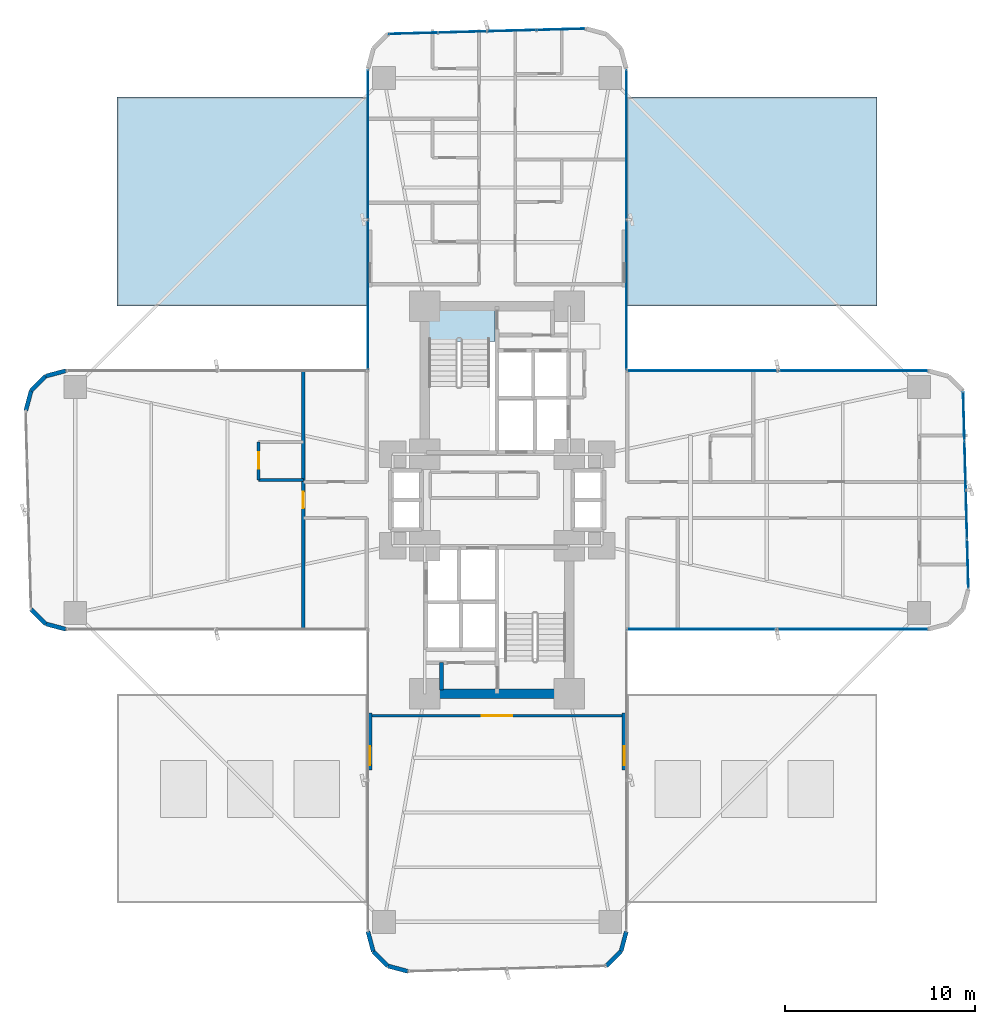
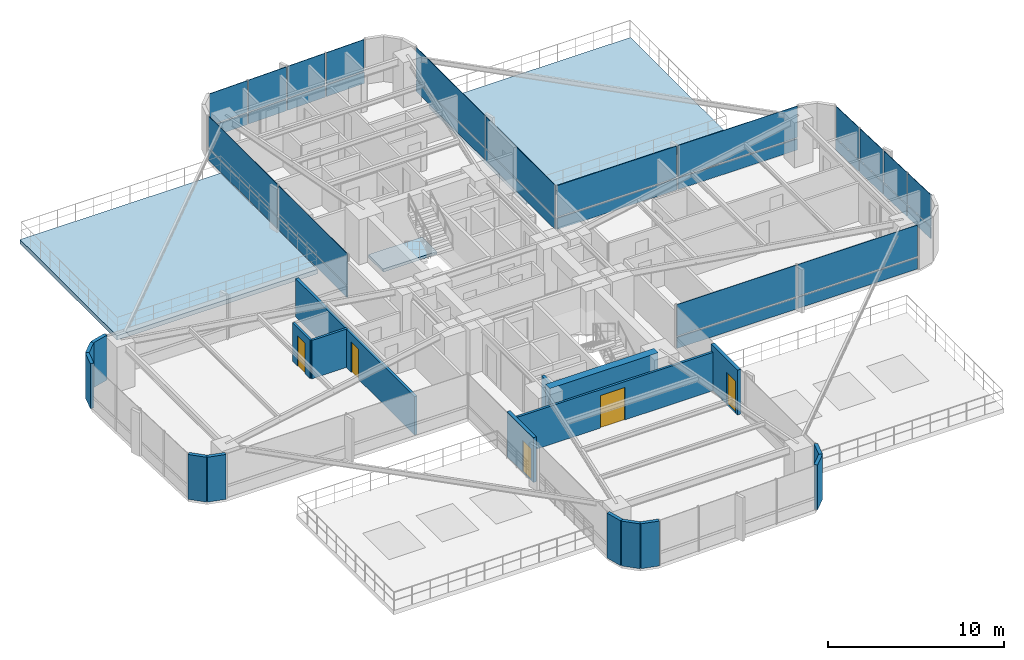
# One storey, part 21 of 27: 32 plates, 18 walls, 5 doors, 3 slabs, 5 openings, 6 elements without a shape of their own.
"""IFC4 building model written with IfcOpenShell, lengths in metres."""

import ifcopenshell
import ifcopenshell.guid

model = None  # the IFC model being written
_history = None  # IfcOwnerHistory: only IFC2X3 demands one
_inside = {}  # id of a spatial element -> (the spatial element, [elements in it])
_under = {}  # id of a project, library or spatial element -> (it, [spatial elements below it])
_declared = {}  # id of a project -> (the project, [libraries it declares])
_typed = {}  # id of a type object -> (the type object, [elements of that type])
_made_of = {}  # id of a material, layer set ... -> (it, [elements and type objects made of it])


def new_model(schema):
    """Start an empty IFC model of exactly this schema.

    Asked for "IFC4X3", IfcOpenShell would pick the latest addendum, in which some entities
    have other attributes; the version numbers below select the first issue.
    IFC2X3 requires an IfcOwnerHistory on every rooted entity: one is made here for all.
    """
    global model, _history
    if schema == "IFC4X3":
        model = ifcopenshell.file(schema_version=(4, 3, 0, 0))
    else:
        model = ifcopenshell.file(schema=schema)
    _inside.clear()
    _under.clear()
    _declared.clear()
    _typed.clear()
    _made_of.clear()
    _history = None
    if model.schema == "IFC2X3":
        org = make("IfcOrganization", Name="unknown")
        user = make(
            "IfcPersonAndOrganization",
            ThePerson=make("IfcPerson", FamilyName="unknown"),
            TheOrganization=org,
        )
        app = make(
            "IfcApplication",
            ApplicationDeveloper=org,
            Version="unknown",
            ApplicationFullName="unknown",
            ApplicationIdentifier="unknown",
        )
        _history = make(
            "IfcOwnerHistory",
            OwningUser=user,
            OwningApplication=app,
            ChangeAction="ADDED",
            CreationDate=0,
        )
    return model


def make(cls, **values):
    """One entity of the class cls with the attributes given. An attribute that is None is left unset."""
    return model.create_entity(
        cls, **{name: value for name, value in values.items() if value is not None}
    )


def rooted(cls, **values):
    """An entity with a GlobalId (a new one), such as an element, a storey or a relation."""
    return make(cls, GlobalId=ifcopenshell.guid.new(), OwnerHistory=_history, **values)


def si_unit(unit_type, name, prefix=None):
    """IfcSIUnit, for example si_unit("LENGTHUNIT", "METRE", prefix="MILLI")."""
    return make("IfcSIUnit", UnitType=unit_type, Prefix=prefix, Name=name)


def assignment(units):
    """IfcUnitAssignment: the units of a project."""
    return None if units is None else make("IfcUnitAssignment", Units=units)


def point(xyz):
    """IfcCartesianPoint."""
    return None if xyz is None else make("IfcCartesianPoint", Coordinates=xyz)


def direction(xyz):
    """IfcDirection."""
    return None if xyz is None else make("IfcDirection", DirectionRatios=xyz)


def frame(location, z_axis=None, x_axis=None):
    """IfcAxis2Placement3D, a coordinate frame: its origin and axes. An axis left out is left unset."""
    return make(
        "IfcAxis2Placement3D",
        Location=point(location),
        Axis=direction(z_axis),
        RefDirection=direction(x_axis),
    )


def frame_2d(location, x_axis=None):
    """IfcAxis2Placement2D, a coordinate frame in the plane: its origin and x axis."""
    return make(
        "IfcAxis2Placement2D", Location=point(location), RefDirection=direction(x_axis)
    )


def origin():
    """The frame at (0, 0, 0) with its axes left unset."""
    return frame((0.0, 0.0, 0.0))


def origin_2d():
    """The frame at (0, 0) in the plane with its x axis left unset."""
    return frame_2d((0.0, 0.0))


def place(relative_to, where):
    """IfcLocalPlacement: puts the frame where relative to a parent placement (None: the world)."""
    return make(
        "IfcLocalPlacement", PlacementRelTo=relative_to, RelativePlacement=where
    )


def context(
    kind, dimensions, precision=None, world=None, true_north=None, identifier=None
):
    """IfcGeometricRepresentationContext, for example the 3D "Model" context."""
    return make(
        "IfcGeometricRepresentationContext",
        ContextIdentifier=identifier,
        ContextType=kind,
        CoordinateSpaceDimension=dimensions,
        Precision=precision,
        WorldCoordinateSystem=world,
        TrueNorth=true_north,
    )


def subcontext(parent, identifier, kind, view, scale=None):
    """IfcGeometricRepresentationSubContext, for example "Body" below "Model"."""
    return make(
        "IfcGeometricRepresentationSubContext",
        ContextIdentifier=identifier,
        ContextType=kind,
        ParentContext=parent,
        TargetScale=scale,
        TargetView=view,
    )


def project(units=None, contexts=None):
    """IfcProject with its units and contexts."""
    return rooted(
        "IfcProject",
        Name="project",
        RepresentationContexts=contexts,
        UnitsInContext=assignment(units),
    )


def spatial(cls, under=None, at=None, **own):
    """A site, building, storey or space (cls), placed at a placement, below another one or the project."""
    s = rooted(cls, ObjectPlacement=at, **own)
    if under is not None:
        _under.setdefault(under.id(), (under, []))[1].append(s)
    return s


def polyline(points):
    """IfcPolyline through the points."""
    return make("IfcPolyline", Points=[point(p) for p in points])


def profile(cls, at=None, kind="AREA", **sizes):
    """A parametric profile (cls). Its sizes go by their IFC names, for example OverallWidth=200.0."""
    return make(cls, ProfileType=kind, Position=at, **sizes)


def rectangle(**sizes):
    """IfcRectangleProfileDef."""
    return profile("IfcRectangleProfileDef", **sizes)


def outline(outer, holes=None, kind="AREA"):
    """IfcArbitraryClosedProfileDef: a profile drawn as a closed curve; with holes, ...WithVoids."""
    if holes is None:
        return make("IfcArbitraryClosedProfileDef", ProfileType=kind, OuterCurve=outer)
    return make(
        "IfcArbitraryProfileDefWithVoids",
        ProfileType=kind,
        OuterCurve=outer,
        InnerCurves=holes,
    )


def extrude(swept, where, along, depth):
    """IfcExtrudedAreaSolid: the profile swept, set in the frame where, extruded along a direction by depth."""
    return make(
        "IfcExtrudedAreaSolid",
        SweptArea=swept,
        Position=where,
        ExtrudedDirection=direction(along),
        Depth=depth,
    )


def shape(context_of_items, identifier, shape_type, items):
    """IfcShapeRepresentation: the items that make up one representation, for example the "Body"."""
    return make(
        "IfcShapeRepresentation",
        ContextOfItems=context_of_items,
        RepresentationIdentifier=identifier,
        RepresentationType=shape_type,
        Items=items,
    )


def source(mapping_origin, context_of_items, identifier, shape_type, items):
    """IfcRepresentationMap: a shape defined once, which mapped items show again and again."""
    return make(
        "IfcRepresentationMap",
        MappingOrigin=mapping_origin,
        MappedRepresentation=shape(context_of_items, identifier, shape_type, items),
    )


def transform(
    local_origin,
    x_axis=None,
    y_axis=None,
    z_axis=None,
    scale=None,
    scale2=None,
    scale3=None,
    uniform=True,
):
    """IfcCartesianTransformationOperator3D, or its non-uniform kind. x_axis, y_axis, z_axis: its Axis1, 2, 3."""
    if uniform:
        return make(
            "IfcCartesianTransformationOperator3D",
            Axis1=direction(x_axis),
            Axis2=direction(y_axis),
            LocalOrigin=point(local_origin),
            Scale=scale,
            Axis3=direction(z_axis),
        )
    return make(
        "IfcCartesianTransformationOperator3DnonUniform",
        Axis1=direction(x_axis),
        Axis2=direction(y_axis),
        LocalOrigin=point(local_origin),
        Scale=scale,
        Axis3=direction(z_axis),
        Scale2=scale2,
        Scale3=scale3,
    )


def mapped(mapping_source, mapping_target):
    """IfcMappedItem: shows the shape of a source again, moved by a transform."""
    return make(
        "IfcMappedItem", MappingSource=mapping_source, MappingTarget=mapping_target
    )


def material(Name=None, Category=None):
    """IfcMaterial."""
    return make("IfcMaterial", Name=Name, Category=Category)


def layer(
    of_material, thickness, ventilated=None, Name=None, Category=None, Priority=None
):
    """IfcMaterialLayer: one layer of a wall or slab, of a material (None: an air gap)."""
    return make(
        "IfcMaterialLayer",
        Material=of_material,
        LayerThickness=thickness,
        IsVentilated=ventilated,
        Name=Name,
        Category=Category,
        Priority=Priority,
    )


def layer_set(layers, Name=None):
    """IfcMaterialLayerSet."""
    return make("IfcMaterialLayerSet", MaterialLayers=layers, LayerSetName=Name)


def made_of(thing, what):
    """Note that an element or type object is made of a material, layer set ...; save() writes the relation."""
    if what is not None:
        _made_of.setdefault(what.id(), (what, []))[1].append(thing)
    return thing


def type_object(cls, material=None, **own):
    """A type object (cls), such as IfcWallType, which elements share."""
    return made_of(rooted(cls, **own), material)


def element(
    cls,
    number,
    at=None,
    inside=None,
    cuts=None,
    type_object=None,
    material=None,
    context=None,
    identifier="Body",
    shape_type=None,
    held_by="IfcProductDefinitionShape",
    body=None,
    shapes=None,
    **own,
):
    """One element of the class cls, such as IfcWall. Its Tag is "e" and its number.

    at: its placement. inside: the storey or other place that contains it. cuts: it is an
    opening in that element (IfcRelVoidsElement). A single representation is given by context,
    identifier, shape_type and body (its items); several are given by shapes. held_by: the class
    of the entity that holds the representations. save() writes the other relations.
    """
    e = rooted(cls, Tag="e%d" % number, ObjectPlacement=at, **own)
    if body is not None:
        shapes = [shape(context, identifier, shape_type, body)]
    if shapes is not None:
        e.Representation = make(held_by, Representations=shapes)
    if inside is not None:
        _inside.setdefault(inside.id(), (inside, []))[1].append(e)
    if cuts is not None:
        rooted(
            "IfcRelVoidsElement", RelatingBuildingElement=cuts, RelatedOpeningElement=e
        )
    if type_object is not None:
        _typed.setdefault(type_object.id(), (type_object, []))[1].append(e)
    return made_of(e, material)


def fill(opening, filler):
    """IfcRelFillsElement: the door or window that sits in an opening."""
    return rooted(
        "IfcRelFillsElement",
        RelatingOpeningElement=opening,
        RelatedBuildingElement=filler,
    )


def aggregate(whole, parts):
    """IfcRelAggregates: a whole, such as a stair, and the parts it consists of."""
    return rooted("IfcRelAggregates", RelatingObject=whole, RelatedObjects=parts)


def save(model, path):
    """Write the relations noted so far, then the file.

    IfcRelAggregates (storeys below a building ...), IfcRelContainedInSpatialStructure (elements
    in a storey), IfcRelDefinesByType, IfcRelAssociatesMaterial and IfcRelDeclares: one each for
    every whole, place, type object, material and project.
    """
    for whole, parts in _under.values():
        aggregate(whole, parts)
    for where, things in _inside.values():
        rooted(
            "IfcRelContainedInSpatialStructure",
            RelatedElements=things,
            RelatingStructure=where,
        )
    for kind, things in _typed.values():
        rooted("IfcRelDefinesByType", RelatedObjects=things, RelatingType=kind)
    for what, things in _made_of.values():
        rooted("IfcRelAssociatesMaterial", RelatedObjects=things, RelatingMaterial=what)
    for by, libraries in _declared.values():
        rooted("IfcRelDeclares", RelatingContext=by, RelatedDefinitions=libraries)
    model.write(path)


model = new_model("IFC4")

# Units and contexts
model_context = context("Model", 3, precision=1e-05, world=origin(), true_north=direction((0.0, 1.0)))
body_context = subcontext(model_context, "Body", "Model", "MODEL_VIEW")
ifc_project = project(units=[si_unit("LENGTHUNIT", "METRE"), si_unit("AREAUNIT", "SQUARE_METRE"), si_unit("VOLUMEUNIT", "CUBIC_METRE"), si_unit("PLANEANGLEUNIT", "RADIAN"), si_unit("MASSUNIT", "GRAM", prefix="KILO")], contexts=[model_context])

# Site, building, storey
site_placement = place(None, origin())
site = spatial("IfcSite", under=ifc_project, at=site_placement, CompositionType="ELEMENT")
building_placement = place(site_placement, origin())
building = spatial("IfcBuilding", under=site, at=building_placement, Name="Sahyath Konkavel Grand Hotel", CompositionType="ELEMENT")
storey_placement = place(building_placement, frame((0.0, 0.0, 23.10009765625)))
storey = spatial("IfcBuildingStorey", under=building, at=storey_placement, Name="L05", CompositionType="ELEMENT", Elevation=23.10009765625)

# Slabs
ifc_material_1 = material(Name="Concrete C40/50", Category="concrete")
ifc_layer_1 = layer(ifc_material_1, 0.300048828125)
ifc_layer_set_1 = layer_set([ifc_layer_1], Name="Concrete C40/50")
slab_type_1 = type_object("IfcSlabType", Name="SLB-POD-ROOF", PredefinedType="ROOF", material=ifc_layer_set_1)
slab_1_placement = place(storey_placement, frame((0.0, 0.0, -0.300048828125)))
element("IfcSlab", 1, at=slab_1_placement, inside=storey, type_object=slab_type_1, Name="Podium Landscaped Roof Terrace NW", PredefinedType="ROOF", context=body_context, shape_type="SweptSolid", body=[
    extrude(outline(polyline([(-20.0, 10.199951171875), (-6.840087890625, 10.199951171875), (-6.840087890625, 21.199951171875), (-20.0, 21.199951171875), (-20.0, 10.199951171875)])), origin(), (0.0, 0.0, 1.0), 0.300048828125),
])
slab_2_placement = place(storey_placement, frame((0.0, 0.0, -0.300048828125)))
element("IfcSlab", 2, at=slab_2_placement, inside=storey, type_object=slab_type_1, Name="Podium Landscaped Roof Terrace NE", PredefinedType="ROOF", context=body_context, shape_type="SweptSolid", body=[
    extrude(outline(polyline([(6.840087890625, 10.199951171875), (20.0, 10.199951171875), (20.0, 21.199951171875), (6.840087890625, 21.199951171875), (6.840087890625, 10.199951171875)])), origin(), (0.0, 0.0, 1.0), 0.300048828125),
])
ifc_layer_2 = layer(ifc_material_1, 0.199951171875)
ifc_layer_set_2 = layer_set([ifc_layer_2], Name="Concrete C40/50")
slab_type_2 = type_object("IfcSlabType", Name="SLB-STAIR-LND", PredefinedType="LANDING", material=ifc_layer_set_2)
slab_3_placement = place(storey_placement, frame((0.0, 0.0, -0.2001953125)))
element("IfcSlab", 3, at=slab_3_placement, inside=storey, type_object=slab_type_2, Name="L05 Stair ST-1 Floor Landing Slab", PredefinedType="LANDING", context=body_context, shape_type="SweptSolid", body=[
    extrude(outline(polyline([(-3.6201171875, 8.35009765625), (-0.10009765625, 8.35009765625), (-0.10009765625, 10.02001953125), (-3.6201171875, 10.02001953125), (-3.6201171875, 8.35009765625)])), origin(), (0.0, 0.0, 1.0), 0.2001953125),
])

# Curtain wall, plates
ifc_material_2 = material(Name="Anodised Bronze Aluminium & Low-E Glazing", Category="aluminium")
curtain_wall_type = type_object("IfcCurtainWallType", Name="CW-ZONE1", PredefinedType="NOTDEFINED", material=ifc_material_2)
curtain_wall_1_placement = place(storey_placement, origin())
curtain_wall_1 = element("IfcCurtainWall", 4, at=curtain_wall_1_placement, inside=storey, type_object=curtain_wall_type, Name="L05 Unitised Curtain Wall F0", PredefinedType="NOTDEFINED")
ifc_material_3 = material(Name="Warm Buff Sandstone Cladding", Category="masonry")
ifc_layer_3 = layer(ifc_material_3, 0.074951171875)
ifc_layer_set_3 = layer_set([ifc_layer_3], Name="Warm Buff Sandstone Cladding")
plate_type_1 = type_object("IfcPlateType", Name="PNL-SPANDREL-STONE", PredefinedType="SHEET", material=ifc_layer_set_3)
shared_shape_1 = source(origin(), body_context, "Body", "SweptSolid", [
    extrude(rectangle(XDim=7.830078125, YDim=0.074951171875, at=origin_2d()), origin(), (0.0, 0.0, 1.0), 0.77001953125),
])
plate_1_placement = place(storey_placement, frame((10.794921875, -6.800048828125, 0.039794921875), z_axis=(0.0, 0.0, 1.0), x_axis=(1.0, 0.0, 0.0)))
plate_1 = element("IfcPlate", 5, at=plate_1_placement, type_object=plate_type_1, Name="L05 Sandstone Relief Spandrel Panel F0-0", PredefinedType="SHEET", context=body_context, shape_type="MappedRepresentation", body=[
    mapped(shared_shape_1, transform((0.0, 0.0, 0.0), scale=1.0)),
])
plate_2_placement = place(storey_placement, frame((18.705078125, -6.800048828125, 0.039794921875), z_axis=(0.0, 0.0, 1.0), x_axis=(1.0, 0.0, 0.0)))
plate_2 = element("IfcPlate", 6, at=plate_2_placement, type_object=plate_type_1, Name="L05 Sandstone Relief Spandrel Panel F0-1", PredefinedType="SHEET", context=body_context, shape_type="MappedRepresentation", body=[
    mapped(shared_shape_1, transform((0.0, 0.0, 0.0), scale=1.0)),
])

curtain_wall_2_placement = place(storey_placement, origin())
curtain_wall_2 = element("IfcCurtainWall", 7, at=curtain_wall_2_placement, inside=storey, type_object=curtain_wall_type, Name="L05 Unitised Curtain Wall F7", PredefinedType="NOTDEFINED")
plate_3_placement = place(storey_placement, frame((18.705078125, 6.800048828125, 0.039794921875), z_axis=(0.0, 0.0, 1.0), x_axis=(-1.0, 0.0, 0.0)))
plate_3 = element("IfcPlate", 8, at=plate_3_placement, type_object=plate_type_1, Name="L05 Sandstone Relief Spandrel Panel F7-0", PredefinedType="SHEET", context=body_context, shape_type="MappedRepresentation", body=[
    mapped(shared_shape_1, transform((0.0, 0.0, 0.0), scale=1.0)),
])
plate_4_placement = place(storey_placement, frame((10.794921875, 6.800048828125, 0.039794921875), z_axis=(0.0, 0.0, 1.0), x_axis=(-1.0, 0.0, 0.0)))
plate_4 = element("IfcPlate", 9, at=plate_4_placement, type_object=plate_type_1, Name="L05 Sandstone Relief Spandrel Panel F7-1", PredefinedType="SHEET", context=body_context, shape_type="MappedRepresentation", body=[
    mapped(shared_shape_1, transform((0.0, 0.0, 0.0), scale=1.0)),
])

curtain_wall_3_placement = place(storey_placement, origin())
curtain_wall_3 = element("IfcCurtainWall", 10, at=curtain_wall_3_placement, inside=storey, type_object=curtain_wall_type, Name="L05 Unitised Curtain Wall F8", PredefinedType="NOTDEFINED")
plate_5_placement = place(storey_placement, frame((6.800048828125, 10.794921875, 0.039794921875), z_axis=(0.0, 0.0, 1.0), x_axis=(0.0, 1.0, 0.0)))
plate_5 = element("IfcPlate", 11, at=plate_5_placement, type_object=plate_type_1, Name="L05 Sandstone Relief Spandrel Panel F8-0", PredefinedType="SHEET", context=body_context, shape_type="MappedRepresentation", body=[
    mapped(shared_shape_1, transform((0.0, 0.0, 0.0), scale=1.0)),
])
plate_6_placement = place(storey_placement, frame((6.800048828125, 18.705078125, 0.039794921875), z_axis=(0.0, 0.0, 1.0), x_axis=(0.0, 1.0, 0.0)))
plate_6 = element("IfcPlate", 12, at=plate_6_placement, type_object=plate_type_1, Name="L05 Sandstone Relief Spandrel Panel F8-1", PredefinedType="SHEET", context=body_context, shape_type="MappedRepresentation", body=[
    mapped(shared_shape_1, transform((0.0, 0.0, 0.0), scale=1.0)),
])

curtain_wall_4_placement = place(storey_placement, origin())
curtain_wall_4 = element("IfcCurtainWall", 13, at=curtain_wall_4_placement, inside=storey, type_object=curtain_wall_type, Name="L05 Unitised Curtain Wall F15", PredefinedType="NOTDEFINED")
plate_7_placement = place(storey_placement, frame((-6.800048828125, 18.705078125, 0.039794921875), z_axis=(0.0, 0.0, 1.0), x_axis=(0.0, -1.0, 0.0)))
plate_7 = element("IfcPlate", 14, at=plate_7_placement, type_object=plate_type_1, Name="L05 Sandstone Relief Spandrel Panel F15-0", PredefinedType="SHEET", context=body_context, shape_type="MappedRepresentation", body=[
    mapped(shared_shape_1, transform((0.0, 0.0, 0.0), scale=1.0)),
])
plate_8_placement = place(storey_placement, frame((-6.800048828125, 10.794921875, 0.039794921875), z_axis=(0.0, 0.0, 1.0), x_axis=(0.0, -1.0, 0.0)))
plate_8 = element("IfcPlate", 15, at=plate_8_placement, type_object=plate_type_1, Name="L05 Sandstone Relief Spandrel Panel F15-1", PredefinedType="SHEET", context=body_context, shape_type="MappedRepresentation", body=[
    mapped(shared_shape_1, transform((0.0, 0.0, 0.0), scale=1.0)),
])

# Plate
ifc_material_4 = material(Name="Low-E Solar Control Double Glazing", Category="glass")
ifc_layer_4 = layer(ifc_material_4, 0.035888671875)
ifc_layer_set_4 = layer_set([ifc_layer_4], Name="Low-E Solar Control Double Glazing")
plate_type_2 = type_object("IfcPlateType", Name="PNL-VISION-LOWE", PredefinedType="CURTAIN_PANEL", material=ifc_layer_set_4)
shared_shape_2 = source(origin(), body_context, "Body", "SweptSolid", [
    extrude(rectangle(XDim=7.830078125, YDim=0.035888671875, at=origin_2d()), origin(), (0.0, 0.0, 1.0), 2.179931640625),
])
plate_9_placement = place(storey_placement, frame((10.794921875, -6.800048828125, 0.89013671875), z_axis=(0.0, 0.0, 1.0), x_axis=(1.0, 0.0, 0.0)))
plate_9 = element("IfcPlate", 16, at=plate_9_placement, type_object=plate_type_2, Name="L05 Low-E Vision Glazing Panel F0-0", PredefinedType="CURTAIN_PANEL", context=body_context, shape_type="MappedRepresentation", body=[
    mapped(shared_shape_2, transform((0.0, 0.0, 0.0), scale=1.0)),
])

plate_10_placement = place(storey_placement, frame((18.705078125, -6.800048828125, 0.89013671875), z_axis=(0.0, 0.0, 1.0), x_axis=(1.0, 0.0, 0.0)))
plate_10 = element("IfcPlate", 17, at=plate_10_placement, type_object=plate_type_2, Name="L05 Low-E Vision Glazing Panel F0-1", PredefinedType="CURTAIN_PANEL", context=body_context, shape_type="MappedRepresentation", body=[
    mapped(shared_shape_2, transform((0.0, 0.0, 0.0), scale=1.0)),
])

aggregate(curtain_wall_1, [plate_1, plate_9, plate_2, plate_10])

plate_11_placement = place(storey_placement, frame((18.705078125, 6.800048828125, 0.89013671875), z_axis=(0.0, 0.0, 1.0), x_axis=(-1.0, 0.0, 0.0)))
plate_11 = element("IfcPlate", 18, at=plate_11_placement, type_object=plate_type_2, Name="L05 Low-E Vision Glazing Panel F7-0", PredefinedType="CURTAIN_PANEL", context=body_context, shape_type="MappedRepresentation", body=[
    mapped(shared_shape_2, transform((0.0, 0.0, 0.0), scale=1.0)),
])

plate_12_placement = place(storey_placement, frame((10.794921875, 6.800048828125, 0.89013671875), z_axis=(0.0, 0.0, 1.0), x_axis=(-1.0, 0.0, 0.0)))
plate_12 = element("IfcPlate", 19, at=plate_12_placement, type_object=plate_type_2, Name="L05 Low-E Vision Glazing Panel F7-1", PredefinedType="CURTAIN_PANEL", context=body_context, shape_type="MappedRepresentation", body=[
    mapped(shared_shape_2, transform((0.0, 0.0, 0.0), scale=1.0)),
])

aggregate(curtain_wall_2, [plate_3, plate_11, plate_4, plate_12])

plate_13_placement = place(storey_placement, frame((6.800048828125, 10.794921875, 0.89013671875), z_axis=(0.0, 0.0, 1.0), x_axis=(0.0, 1.0, 0.0)))
plate_13 = element("IfcPlate", 20, at=plate_13_placement, type_object=plate_type_2, Name="L05 Low-E Vision Glazing Panel F8-0", PredefinedType="CURTAIN_PANEL", context=body_context, shape_type="MappedRepresentation", body=[
    mapped(shared_shape_2, transform((0.0, 0.0, 0.0), scale=1.0)),
])

plate_14_placement = place(storey_placement, frame((6.800048828125, 18.705078125, 0.89013671875), z_axis=(0.0, 0.0, 1.0), x_axis=(0.0, 1.0, 0.0)))
plate_14 = element("IfcPlate", 21, at=plate_14_placement, type_object=plate_type_2, Name="L05 Low-E Vision Glazing Panel F8-1", PredefinedType="CURTAIN_PANEL", context=body_context, shape_type="MappedRepresentation", body=[
    mapped(shared_shape_2, transform((0.0, 0.0, 0.0), scale=1.0)),
])

aggregate(curtain_wall_3, [plate_5, plate_13, plate_6, plate_14])

plate_15_placement = place(storey_placement, frame((-6.800048828125, 18.705078125, 0.89013671875), z_axis=(0.0, 0.0, 1.0), x_axis=(0.0, -1.0, 0.0)))
plate_15 = element("IfcPlate", 22, at=plate_15_placement, type_object=plate_type_2, Name="L05 Low-E Vision Glazing Panel F15-0", PredefinedType="CURTAIN_PANEL", context=body_context, shape_type="MappedRepresentation", body=[
    mapped(shared_shape_2, transform((0.0, 0.0, 0.0), scale=1.0)),
])

plate_16_placement = place(storey_placement, frame((-6.800048828125, 10.794921875, 0.89013671875), z_axis=(0.0, 0.0, 1.0), x_axis=(0.0, -1.0, 0.0)))
plate_16 = element("IfcPlate", 23, at=plate_16_placement, type_object=plate_type_2, Name="L05 Low-E Vision Glazing Panel F15-1", PredefinedType="CURTAIN_PANEL", context=body_context, shape_type="MappedRepresentation", body=[
    mapped(shared_shape_2, transform((0.0, 0.0, 0.0), scale=1.0)),
])

aggregate(curtain_wall_4, [plate_7, plate_15, plate_8, plate_16])

# Curtain wall, plates
curtain_wall_5_placement = place(storey_placement, origin())
curtain_wall_5 = element("IfcCurtainWall", 24, at=curtain_wall_5_placement, inside=storey, type_object=curtain_wall_type, Name="L05 Unitised Curtain Wall F4", PredefinedType="NOTDEFINED")
shared_shape_3 = source(origin(), body_context, "Body", "SweptSolid", [
    extrude(rectangle(XDim=2.513427734375, YDim=0.074951171875, at=origin_2d()), origin(), (0.0, 0.0, 1.0), 0.77001953125),
])
plate_17_placement = place(storey_placement, frame((24.763916015625, -3.36376953125, 0.039794921875), z_axis=(0.0, 0.0, 1.0), x_axis=(-0.026909728301, 0.999637867691, 0.0)))
plate_17 = element("IfcPlate", 25, at=plate_17_placement, type_object=plate_type_1, Name="L05 Sandstone Relief Spandrel Panel F4-0", PredefinedType="SHEET", context=body_context, shape_type="MappedRepresentation", body=[
    mapped(shared_shape_3, transform((0.0, 0.0, 0.0), scale=1.0)),
])
plate_18_placement = place(storey_placement, frame((24.694091796875, -0.771240234375, 0.039794921875), z_axis=(0.0, 0.0, 1.0), x_axis=(-0.026909728301, 0.999637867691, 0.0)))
plate_18 = element("IfcPlate", 26, at=plate_18_placement, type_object=plate_type_1, Name="L05 Sandstone Relief Spandrel Panel F4-1", PredefinedType="SHEET", context=body_context, shape_type="MappedRepresentation", body=[
    mapped(shared_shape_3, transform((0.0, 0.0, 0.0), scale=1.0)),
])
plate_19_placement = place(storey_placement, frame((24.62451171875, 1.8212890625, 0.039794921875), z_axis=(0.0, 0.0, 1.0), x_axis=(-0.026909728301, 0.999637867691, 0.0)))
plate_19 = element("IfcPlate", 27, at=plate_19_placement, type_object=plate_type_1, Name="L05 Sandstone Relief Spandrel Panel F4-2", PredefinedType="SHEET", context=body_context, shape_type="MappedRepresentation", body=[
    mapped(shared_shape_3, transform((0.0, 0.0, 0.0), scale=1.0)),
])
plate_20_placement = place(storey_placement, frame((24.5546875, 4.413818359375, 0.039794921875), z_axis=(0.0, 0.0, 1.0), x_axis=(-0.026909728301, 0.999637867691, 0.0)))
plate_20 = element("IfcPlate", 28, at=plate_20_placement, type_object=plate_type_1, Name="L05 Sandstone Relief Spandrel Panel F4-3", PredefinedType="SHEET", context=body_context, shape_type="MappedRepresentation", body=[
    mapped(shared_shape_3, transform((0.0, 0.0, 0.0), scale=1.0)),
])

curtain_wall_6_placement = place(storey_placement, origin())
curtain_wall_6 = element("IfcCurtainWall", 29, at=curtain_wall_6_placement, inside=storey, type_object=curtain_wall_type, Name="L05 Unitised Curtain Wall F12", PredefinedType="NOTDEFINED")
plate_21_placement = place(storey_placement, frame((3.36376953125, 24.763916015625, 0.039794921875), z_axis=(0.0, 0.0, 1.0), x_axis=(-0.999637867691, -0.026909728301, 0.0)))
plate_21 = element("IfcPlate", 30, at=plate_21_placement, type_object=plate_type_1, Name="L05 Sandstone Relief Spandrel Panel F12-0", PredefinedType="SHEET", context=body_context, shape_type="MappedRepresentation", body=[
    mapped(shared_shape_3, transform((0.0, 0.0, 0.0), scale=1.0)),
])
plate_22_placement = place(storey_placement, frame((0.771240234375, 24.694091796875, 0.039794921875), z_axis=(0.0, 0.0, 1.0), x_axis=(-0.999637867691, -0.026909728301, 0.0)))
plate_22 = element("IfcPlate", 31, at=plate_22_placement, type_object=plate_type_1, Name="L05 Sandstone Relief Spandrel Panel F12-1", PredefinedType="SHEET", context=body_context, shape_type="MappedRepresentation", body=[
    mapped(shared_shape_3, transform((0.0, 0.0, 0.0), scale=1.0)),
])
plate_23_placement = place(storey_placement, frame((-1.8212890625, 24.62451171875, 0.039794921875), z_axis=(0.0, 0.0, 1.0), x_axis=(-0.999637867691, -0.026909728301, 0.0)))
plate_23 = element("IfcPlate", 32, at=plate_23_placement, type_object=plate_type_1, Name="L05 Sandstone Relief Spandrel Panel F12-2", PredefinedType="SHEET", context=body_context, shape_type="MappedRepresentation", body=[
    mapped(shared_shape_3, transform((0.0, 0.0, 0.0), scale=1.0)),
])
plate_24_placement = place(storey_placement, frame((-4.413818359375, 24.5546875, 0.039794921875), z_axis=(0.0, 0.0, 1.0), x_axis=(-0.999637867691, -0.026909728301, 0.0)))
plate_24 = element("IfcPlate", 33, at=plate_24_placement, type_object=plate_type_1, Name="L05 Sandstone Relief Spandrel Panel F12-3", PredefinedType="SHEET", context=body_context, shape_type="MappedRepresentation", body=[
    mapped(shared_shape_3, transform((0.0, 0.0, 0.0), scale=1.0)),
])

# Plate
shared_shape_4 = source(origin(), body_context, "Body", "SweptSolid", [
    extrude(rectangle(XDim=2.513427734375, YDim=0.035888671875, at=origin_2d()), origin(), (0.0, 0.0, 1.0), 2.179931640625),
])
plate_25_placement = place(storey_placement, frame((24.763916015625, -3.36376953125, 0.89013671875), z_axis=(0.0, 0.0, 1.0), x_axis=(-0.026909728301, 0.999637867691, 0.0)))
plate_25 = element("IfcPlate", 34, at=plate_25_placement, type_object=plate_type_2, Name="L05 Low-E Vision Glazing Panel F4-0", PredefinedType="CURTAIN_PANEL", context=body_context, shape_type="MappedRepresentation", body=[
    mapped(shared_shape_4, transform((0.0, 0.0, 0.0), scale=1.0)),
])

plate_26_placement = place(storey_placement, frame((24.694091796875, -0.771240234375, 0.89013671875), z_axis=(0.0, 0.0, 1.0), x_axis=(-0.026909728301, 0.999637867691, 0.0)))
plate_26 = element("IfcPlate", 35, at=plate_26_placement, type_object=plate_type_2, Name="L05 Low-E Vision Glazing Panel F4-1", PredefinedType="CURTAIN_PANEL", context=body_context, shape_type="MappedRepresentation", body=[
    mapped(shared_shape_4, transform((0.0, 0.0, 0.0), scale=1.0)),
])

plate_27_placement = place(storey_placement, frame((24.62451171875, 1.8212890625, 0.89013671875), z_axis=(0.0, 0.0, 1.0), x_axis=(-0.026909728301, 0.999637867691, 0.0)))
plate_27 = element("IfcPlate", 36, at=plate_27_placement, type_object=plate_type_2, Name="L05 Low-E Vision Glazing Panel F4-2", PredefinedType="CURTAIN_PANEL", context=body_context, shape_type="MappedRepresentation", body=[
    mapped(shared_shape_4, transform((0.0, 0.0, 0.0), scale=1.0)),
])

plate_28_placement = place(storey_placement, frame((24.5546875, 4.413818359375, 0.89013671875), z_axis=(0.0, 0.0, 1.0), x_axis=(-0.026909728301, 0.999637867691, 0.0)))
plate_28 = element("IfcPlate", 37, at=plate_28_placement, type_object=plate_type_2, Name="L05 Low-E Vision Glazing Panel F4-3", PredefinedType="CURTAIN_PANEL", context=body_context, shape_type="MappedRepresentation", body=[
    mapped(shared_shape_4, transform((0.0, 0.0, 0.0), scale=1.0)),
])

aggregate(curtain_wall_5, [plate_17, plate_25, plate_18, plate_26, plate_19, plate_27, plate_20, plate_28])

plate_29_placement = place(storey_placement, frame((3.36376953125, 24.763916015625, 0.89013671875), z_axis=(0.0, 0.0, 1.0), x_axis=(-0.999637867691, -0.026909728301, 0.0)))
plate_29 = element("IfcPlate", 38, at=plate_29_placement, type_object=plate_type_2, Name="L05 Low-E Vision Glazing Panel F12-0", PredefinedType="CURTAIN_PANEL", context=body_context, shape_type="MappedRepresentation", body=[
    mapped(shared_shape_4, transform((0.0, 0.0, 0.0), scale=1.0)),
])

plate_30_placement = place(storey_placement, frame((0.771240234375, 24.694091796875, 0.89013671875), z_axis=(0.0, 0.0, 1.0), x_axis=(-0.999637867691, -0.026909728301, 0.0)))
plate_30 = element("IfcPlate", 39, at=plate_30_placement, type_object=plate_type_2, Name="L05 Low-E Vision Glazing Panel F12-1", PredefinedType="CURTAIN_PANEL", context=body_context, shape_type="MappedRepresentation", body=[
    mapped(shared_shape_4, transform((0.0, 0.0, 0.0), scale=1.0)),
])

plate_31_placement = place(storey_placement, frame((-1.8212890625, 24.62451171875, 0.89013671875), z_axis=(0.0, 0.0, 1.0), x_axis=(-0.999637867691, -0.026909728301, 0.0)))
plate_31 = element("IfcPlate", 40, at=plate_31_placement, type_object=plate_type_2, Name="L05 Low-E Vision Glazing Panel F12-2", PredefinedType="CURTAIN_PANEL", context=body_context, shape_type="MappedRepresentation", body=[
    mapped(shared_shape_4, transform((0.0, 0.0, 0.0), scale=1.0)),
])

plate_32_placement = place(storey_placement, frame((-4.413818359375, 24.5546875, 0.89013671875), z_axis=(0.0, 0.0, 1.0), x_axis=(-0.999637867691, -0.026909728301, 0.0)))
plate_32 = element("IfcPlate", 41, at=plate_32_placement, type_object=plate_type_2, Name="L05 Low-E Vision Glazing Panel F12-3", PredefinedType="CURTAIN_PANEL", context=body_context, shape_type="MappedRepresentation", body=[
    mapped(shared_shape_4, transform((0.0, 0.0, 0.0), scale=1.0)),
])

aggregate(curtain_wall_6, [plate_21, plate_29, plate_22, plate_30, plate_23, plate_31, plate_24, plate_32])

# Wall
ifc_material_5 = material(Name="Concrete C70/85", Category="concrete")
ifc_layer_5 = layer(ifc_material_5, 0.5)
ifc_layer_set_5 = layer_set([ifc_layer_5], Name="Concrete C70/85")
wall_type_1 = type_object("IfcWallType", Name="CWALL-500", PredefinedType="SHEAR", material=ifc_layer_set_5)
wall_1_placement = place(storey_placement, frame((-3.550048828125, -10.199951171875, 0.0), z_axis=(0.0, 0.0, 1.0), x_axis=(1.0, 0.0, 0.0)))
element("IfcWall", 42, at=wall_1_placement, inside=storey, type_object=wall_type_1, Name="L05 South Core Shear Wall S", PredefinedType="SHEAR", context=body_context, shape_type="SweptSolid", body=[
    extrude(rectangle(XDim=7.10009765625, YDim=0.5, at=frame_2d((3.550048828125, 0.0))), origin(), (0.0, 0.0, 1.0), 3.10986328125),
])

# Wall, opening, door
ifc_material_6 = material(Name="Warm Buff Sandstone Insulated Concrete C40/50", Category="masonry")
ifc_layer_6 = layer(ifc_material_6, 0.219970703125)
ifc_layer_set_6 = layer_set([ifc_layer_6], Name="Warm Buff Sandstone Insulated Concrete C40/50")
wall_type_2 = type_object("IfcWallType", Name="WLL-BALC-THRESH", PredefinedType="STANDARD", material=ifc_layer_set_6)
wall_2_placement = place(storey_placement, frame((-6.68994140625, -14.199951171875, 0.0), z_axis=(0.0, 0.0, 1.0), x_axis=(0.0, 1.0, 0.0)))
wall_2 = element("IfcWall", 43, at=wall_2_placement, inside=storey, type_object=wall_type_2, Name="L05 Podium Terrace Threshold Wall SW", PredefinedType="STANDARD", context=body_context, shape_type="SweptSolid", body=[
    extrude(rectangle(XDim=3.0, YDim=0.219970703125, at=frame_2d((1.5, 0.0))), origin(), (0.0, 0.0, 1.0), 3.10986328125),
])
opening_1_placement = place(wall_2_placement, frame((0.25, 0.0, 0.0)))
opening_1 = element("IfcOpeningElement", 44, at=opening_1_placement, cuts=wall_2, Name="Opening D-TR1", PredefinedType="OPENING", context=body_context, shape_type="SweptSolid", body=[
    extrude(rectangle(XDim=1.0, YDim=2.199951171875, at=frame_2d((0.5, 1.10009765625))), frame((0.0, 0.1201171875, 0.0), z_axis=(0.0, -1.0, 0.0), x_axis=(1.0, 0.0, 0.0)), (0.0, 0.0, 1.0), 0.239990234375),
])
door_type_1 = type_object("IfcDoorType", Name="DR-TERRACE-1000", OperationType="NOTDEFINED", PredefinedType="DOOR", material=ifc_material_2)
shared_shape_5 = source(origin(), body_context, "Body", "SweptSolid", [
    extrude(rectangle(XDim=1.0, YDim=0.050048828125, at=origin_2d()), origin(), (0.0, 0.0, 1.0), 2.199951171875),
])
door_1_placement = place(opening_1_placement, frame((0.5, 0.0, 0.0)))
door_1 = element("IfcDoor", 45, at=door_1_placement, inside=storey, type_object=door_type_1, Name="L05 Podium Terrace Access Door SW", OperationType="SINGLE_SWING_RIGHT", OverallHeight=2.199951171875, OverallWidth=1.0, PredefinedType="DOOR", context=body_context, shape_type="MappedRepresentation", body=[
    mapped(shared_shape_5, transform((0.0, 0.0, 0.0), scale=1.0)),
])
fill(opening_1, door_1)

wall_3_placement = place(storey_placement, frame((6.68994140625, -14.199951171875, 0.0), z_axis=(0.0, 0.0, 1.0), x_axis=(0.0, 1.0, 0.0)))
wall_3 = element("IfcWall", 46, at=wall_3_placement, inside=storey, type_object=wall_type_2, Name="L05 Podium Terrace Threshold Wall SE", PredefinedType="STANDARD", context=body_context, shape_type="SweptSolid", body=[
    extrude(rectangle(XDim=3.0, YDim=0.219970703125, at=frame_2d((1.5, 0.0))), origin(), (0.0, 0.0, 1.0), 3.10986328125),
])
opening_2_placement = place(wall_3_placement, frame((0.25, 0.0, 0.0)))
opening_2 = element("IfcOpeningElement", 47, at=opening_2_placement, cuts=wall_3, Name="Opening D-TR1", PredefinedType="OPENING", context=body_context, shape_type="SweptSolid", body=[
    extrude(rectangle(XDim=1.0, YDim=2.199951171875, at=frame_2d((0.5, 1.10009765625))), frame((0.0, 0.1201171875, 0.0), z_axis=(0.0, -1.0, 0.0), x_axis=(1.0, 0.0, 0.0)), (0.0, 0.0, 1.0), 0.239990234375),
])
door_2_placement = place(opening_2_placement, frame((0.5, 0.0, 0.0)))
door_2 = element("IfcDoor", 48, at=door_2_placement, inside=storey, type_object=door_type_1, Name="L05 Podium Terrace Access Door SE", OperationType="SINGLE_SWING_LEFT", OverallHeight=2.199951171875, OverallWidth=1.0, PredefinedType="DOOR", context=body_context, shape_type="MappedRepresentation", body=[
    mapped(shared_shape_5, transform((0.0, 0.0, 0.0), scale=1.0)),
])
fill(opening_2, door_2)

# Walls
for number, where, z_axis, x_axis, name in (
    (49, (-22.699951171875, 6.800048828125, 0.0), (0.0, 0.0, 1.0), (-0.965951058412, -0.25872485917, 0.0), "L05 Rounded Corner Sandstone Pier 17"),
    (50, (-23.75, 6.518798828125, 0.0), (0.0, 0.0, 1.0), (-0.707106781187, -0.707106781187, 0.0), "L05 Rounded Corner Sandstone Pier 18"),
    (51, (-24.518798828125, 5.75, 0.0), (0.0, 0.0, 1.0), (-0.25872485917, -0.965951058412, 0.0), "L05 Rounded Corner Sandstone Pier 19"),
    (52, (-24.518798828125, -5.75, 0.0), (0.0, 0.0, 1.0), (0.707106781187, -0.707106781187, 0.0), "L05 Rounded Corner Sandstone Pier 21"),
    (53, (-23.75, -6.518798828125, 0.0), (0.0, 0.0, 1.0), (0.965951058412, -0.25872485917, 0.0), "L05 Rounded Corner Sandstone Pier 22"),
    (54, (-6.800048828125, -22.699951171875, 0.0), (0.0, 0.0, 1.0), (0.25872485917, -0.965951058412, 0.0), "L05 Rounded Corner Sandstone Pier 25"),
    (55, (-6.518798828125, -23.75, 0.0), (0.0, 0.0, 1.0), (0.707106781187, -0.707106781187, 0.0), "L05 Rounded Corner Sandstone Pier 26"),
    (56, (-5.75, -24.518798828125, 0.0), (0.0, 0.0, 1.0), (0.965951058412, -0.25872485917, 0.0), "L05 Rounded Corner Sandstone Pier 27"),
    (57, (5.75, -24.518798828125, 0.0), (0.0, 0.0, 1.0), (0.707106781187, 0.707106781187, 0.0), "L05 Rounded Corner Sandstone Pier 29"),
    (58, (6.518798828125, -23.75, 0.0), (0.0, 0.0, 1.0), (0.25872485917, 0.965951058412, 0.0), "L05 Rounded Corner Sandstone Pier 30"),
):
    element("IfcWall", number, at=place(storey_placement, frame(where, z_axis=z_axis, x_axis=x_axis)), inside=storey, type_object=wall_type_2, Name=name, PredefinedType="STANDARD", context=body_context, shape_type="SweptSolid", body=[
        extrude(rectangle(XDim=1.087158203125, YDim=0.219970703125, at=frame_2d((0.54345703125, 0.0))), origin(), (0.0, 0.0, 1.0), 3.10986328125),
    ])
ifc_layer_7 = layer(ifc_material_1, 0.199951171875)
ifc_layer_set_7 = layer_set([ifc_layer_7], Name="Concrete C40/50")
wall_type_3 = type_object("IfcWallType", Name="WLL-CORE-200", PredefinedType="SOLIDWALL", material=ifc_layer_set_7)
wall_4_placement = place(storey_placement, frame((-2.919921875, -10.0, 0.0), z_axis=(0.0, 0.0, 1.0), x_axis=(0.0, 1.0, 0.0)))
element("IfcWall", 59, at=wall_4_placement, inside=storey, type_object=wall_type_3, Name="L05 Partition SFF-W2", PredefinedType="SOLIDWALL", context=body_context, shape_type="SweptSolid", body=[
    extrude(rectangle(XDim=1.43994140625, YDim=0.199951171875, at=frame_2d((0.719970703125, 0.0))), origin(), (0.0, 0.0, 1.0), 2.659912109375),
])

# Wall, opening, door
ifc_material_7 = material(Name="Twin-Stud Acoustic Gypsum Plasterboard Partition")
ifc_layer_8 = layer(ifc_material_7, 0.179931640625)
ifc_layer_set_8 = layer_set([ifc_layer_8], Name="Twin-Stud Acoustic Gypsum Plasterboard Partition")
wall_type_4 = type_object("IfcWallType", Name="WLL-DEMISE-180", PredefinedType="PARTITIONING", material=ifc_layer_set_8)
wall_5_placement = place(storey_placement, frame((-10.199951171875, 6.75, 0.0), z_axis=(0.0, 0.0, 1.0), x_axis=(0.0, -1.0, 0.0)))
wall_5 = element("IfcWall", 60, at=wall_5_placement, inside=storey, type_object=wall_type_4, Name="L05 Partition W-WTIP-END", PredefinedType="PARTITIONING", context=body_context, shape_type="SweptSolid", body=[
    extrude(rectangle(XDim=13.5, YDim=0.179931640625, at=frame_2d((6.75, 0.0))), origin(), (0.0, 0.0, 1.0), 2.659912109375),
])
opening_3_placement = place(wall_5_placement, frame((6.324951171875, 0.0, 0.0)))
opening_3 = element("IfcOpeningElement", 61, at=opening_3_placement, cuts=wall_5, Name="Opening D-F06D", PredefinedType="OPENING", context=body_context, shape_type="SweptSolid", body=[
    extrude(rectangle(XDim=0.85009765625, YDim=2.10009765625, at=frame_2d((0.425048828125, 1.050048828125))), frame((0.0, 0.10009765625, 0.0), z_axis=(0.0, -1.0, 0.0), x_axis=(1.0, 0.0, 0.0)), (0.0, 0.0, 1.0), 0.199951171875),
])
ifc_material_8 = material(Name="Fire-Rated Shaft Access Door")
door_type_2 = type_object("IfcDoorType", Name="DR-FD60-850", OperationType="NOTDEFINED", PredefinedType="DOOR", material=ifc_material_8)
shared_shape_6 = source(origin(), body_context, "Body", "SweptSolid", [
    extrude(rectangle(XDim=0.85009765625, YDim=0.050048828125, at=origin_2d()), origin(), (0.0, 0.0, 1.0), 2.10009765625),
])
door_3_placement = place(opening_3_placement, frame((0.425048828125, 0.0, 0.0)))
door_3 = element("IfcDoor", 62, at=door_3_placement, inside=storey, type_object=door_type_2, Name="L05 Door W-WTIP-ED", OperationType="SINGLE_SWING_RIGHT", OverallHeight=2.10009765625, OverallWidth=0.85009765625, PredefinedType="DOOR", context=body_context, shape_type="MappedRepresentation", body=[
    mapped(shared_shape_6, transform((0.0, 0.0, 0.0), scale=1.0)),
])
fill(opening_3, door_3)

# Wall
ifc_material_9 = material(Name="Fire-Rated Gypsum Plasterboard Partition")
ifc_layer_9 = layer(ifc_material_9, 0.14990234375)
ifc_layer_set_9 = layer_set([ifc_layer_9], Name="Fire-Rated Gypsum Plasterboard Partition")
wall_type_5 = type_object("IfcWallType", Name="WLL-PART-150", PredefinedType="PARTITIONING", material=ifc_layer_set_9)
wall_6_placement = place(storey_placement, frame((-10.199951171875, 1.050048828125, 0.0), z_axis=(0.0, 0.0, 1.0), x_axis=(-1.0, 0.0, 0.0)))
element("IfcWall", 63, at=wall_6_placement, inside=storey, type_object=wall_type_5, Name="L05 Partition W-WTIP-BN", PredefinedType="PARTITIONING", context=body_context, shape_type="SweptSolid", body=[
    extrude(rectangle(XDim=2.35009765625, YDim=0.14990234375, at=frame_2d((1.175048828125, 0.0))), origin(), (0.0, 0.0, 1.0), 2.659912109375),
])

# Wall, opening, door
wall_7_placement = place(storey_placement, frame((-12.550048828125, 3.050048828125, 0.0), z_axis=(0.0, 0.0, 1.0), x_axis=(0.0, -1.0, 0.0)))
wall_7 = element("IfcWall", 64, at=wall_7_placement, inside=storey, type_object=wall_type_5, Name="L05 Partition W-WTIP-BE", PredefinedType="PARTITIONING", context=body_context, shape_type="SweptSolid", body=[
    extrude(rectangle(XDim=2.0, YDim=0.14990234375, at=frame_2d((1.0, 0.0))), origin(), (0.0, 0.0, 1.0), 2.659912109375),
])
opening_4_placement = place(wall_7_placement, frame((0.550048828125, 0.0, 0.0)))
opening_4 = element("IfcOpeningElement", 65, at=opening_4_placement, cuts=wall_7, Name="Opening D-BT85", PredefinedType="OPENING", context=body_context, shape_type="SweptSolid", body=[
    extrude(rectangle(XDim=0.85009765625, YDim=2.10009765625, at=frame_2d((0.425048828125, 1.050048828125))), frame((0.0, 0.0849609375, 0.0), z_axis=(0.0, -1.0, 0.0), x_axis=(1.0, 0.0, 0.0)), (0.0, 0.0, 1.0), 0.169921875),
])
ifc_material_10 = material(Name="Moisture-Resistant Teak Bathroom Door")
door_type_3 = type_object("IfcDoorType", Name="DR-BATH-850", OperationType="NOTDEFINED", PredefinedType="DOOR", material=ifc_material_10)
door_4_placement = place(opening_4_placement, frame((0.425048828125, 0.0, 0.0)))
door_4 = element("IfcDoor", 66, at=door_4_placement, inside=storey, type_object=door_type_3, Name="L05 Door W-WTIP-BD", OperationType="SINGLE_SWING_LEFT", OverallHeight=2.10009765625, OverallWidth=0.85009765625, PredefinedType="DOOR", context=body_context, shape_type="MappedRepresentation", body=[
    mapped(shared_shape_6, transform((0.0, 0.0, 0.0), scale=1.0)),
])
fill(opening_4, door_4)

wall_8_placement = place(storey_placement, frame((-6.75, -11.35009765625, 0.0), z_axis=(0.0, 0.0, 1.0), x_axis=(1.0, 0.0, 0.0)))
wall_8 = element("IfcWall", 67, at=wall_8_placement, inside=storey, type_object=wall_type_5, Name="L05 Partition S-SAL-IN", PredefinedType="PARTITIONING", context=body_context, shape_type="SweptSolid", body=[
    extrude(rectangle(XDim=13.5, YDim=0.14990234375, at=frame_2d((6.75, 0.0))), origin(), (0.0, 0.0, 1.0), 2.659912109375),
])
opening_5_placement = place(wall_8_placement, frame((5.949951171875, 0.0, 0.0)))
opening_5 = element("IfcOpeningElement", 68, at=opening_5_placement, cuts=wall_8, Name="Opening D-DB16", PredefinedType="OPENING", context=body_context, shape_type="SweptSolid", body=[
    extrude(rectangle(XDim=1.60009765625, YDim=2.25, at=frame_2d((0.800048828125, 1.125))), frame((0.0, 0.0849609375, 0.0), z_axis=(0.0, -1.0, 0.0), x_axis=(1.0, 0.0, 0.0)), (0.0, 0.0, 1.0), 0.169921875),
])
ifc_material_11 = material(Name="Double Leaf Lounge Glazed Timber Door", Category="wood")
door_type_4 = type_object("IfcDoorType", Name="DR-DBL-1600", OperationType="DOUBLE_DOOR_SINGLE_SWING", PredefinedType="DOOR", material=ifc_material_11)
shared_shape_7 = source(origin(), body_context, "Body", "SweptSolid", [
    extrude(rectangle(XDim=1.60009765625, YDim=0.050048828125, at=origin_2d()), origin(), (0.0, 0.0, 1.0), 2.25),
])
door_5_placement = place(opening_5_placement, frame((0.800048828125, 0.0, 0.0)))
door_5 = element("IfcDoor", 69, at=door_5_placement, inside=storey, type_object=door_type_4, Name="L05 Door S-SAL-D", OperationType="DOUBLE_DOOR_SINGLE_SWING", OverallHeight=2.25, OverallWidth=1.60009765625, PredefinedType="DOOR", context=body_context, shape_type="MappedRepresentation", body=[
    mapped(shared_shape_7, transform((0.0, 0.0, 0.0), scale=1.0)),
])
fill(opening_5, door_5)

save(model, "model.ifc")
